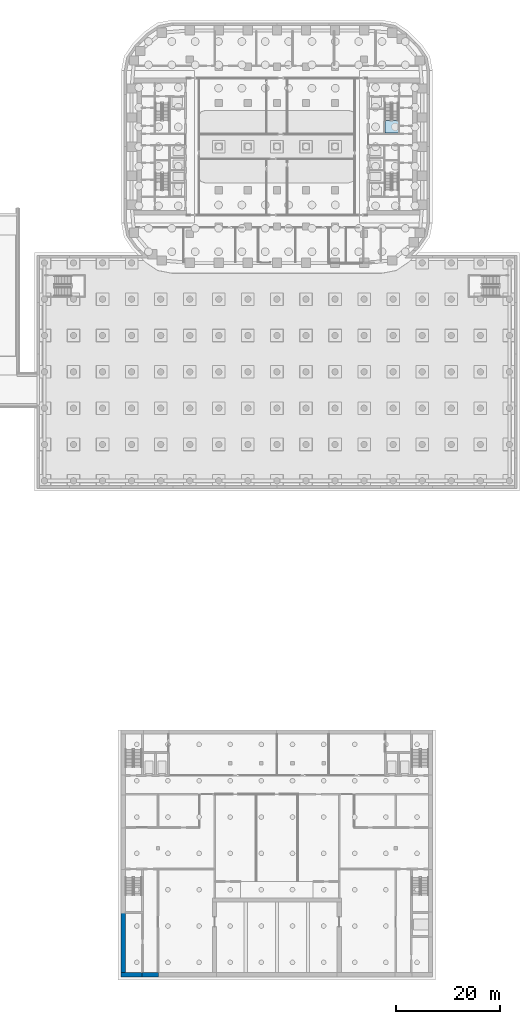
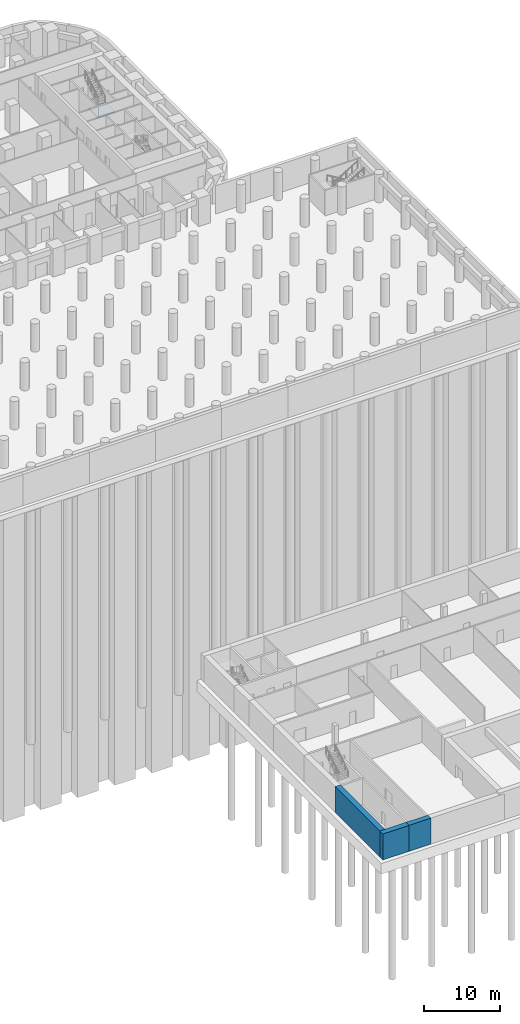
# One storey, part 5 of 23: 3 walls, 1 slab, 1 element without a shape of its own.
"""IFC4 building model written with IfcOpenShell, lengths in metres."""

import ifcopenshell
import ifcopenshell.guid

model = None  # the IFC model being written
_history = None  # IfcOwnerHistory: only IFC2X3 demands one
_inside = {}  # id of a spatial element -> (the spatial element, [elements in it])
_under = {}  # id of a project, library or spatial element -> (it, [spatial elements below it])
_declared = {}  # id of a project -> (the project, [libraries it declares])
_typed = {}  # id of a type object -> (the type object, [elements of that type])
_made_of = {}  # id of a material, layer set ... -> (it, [elements and type objects made of it])


def new_model(schema):
    """Start an empty IFC model of exactly this schema.

    Asked for "IFC4X3", IfcOpenShell would pick the latest addendum, in which some entities
    have other attributes; the version numbers below select the first issue.
    IFC2X3 requires an IfcOwnerHistory on every rooted entity: one is made here for all.
    """
    global model, _history
    if schema == "IFC4X3":
        model = ifcopenshell.file(schema_version=(4, 3, 0, 0))
    else:
        model = ifcopenshell.file(schema=schema)
    _inside.clear()
    _under.clear()
    _declared.clear()
    _typed.clear()
    _made_of.clear()
    _history = None
    if model.schema == "IFC2X3":
        org = make("IfcOrganization", Name="unknown")
        user = make(
            "IfcPersonAndOrganization",
            ThePerson=make("IfcPerson", FamilyName="unknown"),
            TheOrganization=org,
        )
        app = make(
            "IfcApplication",
            ApplicationDeveloper=org,
            Version="unknown",
            ApplicationFullName="unknown",
            ApplicationIdentifier="unknown",
        )
        _history = make(
            "IfcOwnerHistory",
            OwningUser=user,
            OwningApplication=app,
            ChangeAction="ADDED",
            CreationDate=0,
        )
    return model


def make(cls, **values):
    """One entity of the class cls with the attributes given. An attribute that is None is left unset."""
    return model.create_entity(
        cls, **{name: value for name, value in values.items() if value is not None}
    )


def rooted(cls, **values):
    """An entity with a GlobalId (a new one), such as an element, a storey or a relation."""
    return make(cls, GlobalId=ifcopenshell.guid.new(), OwnerHistory=_history, **values)


def si_unit(unit_type, name, prefix=None):
    """IfcSIUnit, for example si_unit("LENGTHUNIT", "METRE", prefix="MILLI")."""
    return make("IfcSIUnit", UnitType=unit_type, Prefix=prefix, Name=name)


def assignment(units):
    """IfcUnitAssignment: the units of a project."""
    return None if units is None else make("IfcUnitAssignment", Units=units)


def point(xyz):
    """IfcCartesianPoint."""
    return None if xyz is None else make("IfcCartesianPoint", Coordinates=xyz)


def direction(xyz):
    """IfcDirection."""
    return None if xyz is None else make("IfcDirection", DirectionRatios=xyz)


def frame(location, z_axis=None, x_axis=None):
    """IfcAxis2Placement3D, a coordinate frame: its origin and axes. An axis left out is left unset."""
    return make(
        "IfcAxis2Placement3D",
        Location=point(location),
        Axis=direction(z_axis),
        RefDirection=direction(x_axis),
    )


def frame_2d(location, x_axis=None):
    """IfcAxis2Placement2D, a coordinate frame in the plane: its origin and x axis."""
    return make(
        "IfcAxis2Placement2D", Location=point(location), RefDirection=direction(x_axis)
    )


def origin():
    """The frame at (0, 0, 0) with its axes left unset."""
    return frame((0.0, 0.0, 0.0))


def place(relative_to, where):
    """IfcLocalPlacement: puts the frame where relative to a parent placement (None: the world)."""
    return make(
        "IfcLocalPlacement", PlacementRelTo=relative_to, RelativePlacement=where
    )


def context(
    kind, dimensions, precision=None, world=None, true_north=None, identifier=None
):
    """IfcGeometricRepresentationContext, for example the 3D "Model" context."""
    return make(
        "IfcGeometricRepresentationContext",
        ContextIdentifier=identifier,
        ContextType=kind,
        CoordinateSpaceDimension=dimensions,
        Precision=precision,
        WorldCoordinateSystem=world,
        TrueNorth=true_north,
    )


def subcontext(parent, identifier, kind, view, scale=None):
    """IfcGeometricRepresentationSubContext, for example "Body" below "Model"."""
    return make(
        "IfcGeometricRepresentationSubContext",
        ContextIdentifier=identifier,
        ContextType=kind,
        ParentContext=parent,
        TargetScale=scale,
        TargetView=view,
    )


def project(units=None, contexts=None):
    """IfcProject with its units and contexts."""
    return rooted(
        "IfcProject",
        Name="project",
        RepresentationContexts=contexts,
        UnitsInContext=assignment(units),
    )


def spatial(cls, under=None, at=None, **own):
    """A site, building, storey or space (cls), placed at a placement, below another one or the project."""
    s = rooted(cls, ObjectPlacement=at, **own)
    if under is not None:
        _under.setdefault(under.id(), (under, []))[1].append(s)
    return s


def polyline(points):
    """IfcPolyline through the points."""
    return make("IfcPolyline", Points=[point(p) for p in points])


def profile(cls, at=None, kind="AREA", **sizes):
    """A parametric profile (cls). Its sizes go by their IFC names, for example OverallWidth=200.0."""
    return make(cls, ProfileType=kind, Position=at, **sizes)


def rectangle(**sizes):
    """IfcRectangleProfileDef."""
    return profile("IfcRectangleProfileDef", **sizes)


def outline(outer, holes=None, kind="AREA"):
    """IfcArbitraryClosedProfileDef: a profile drawn as a closed curve; with holes, ...WithVoids."""
    if holes is None:
        return make("IfcArbitraryClosedProfileDef", ProfileType=kind, OuterCurve=outer)
    return make(
        "IfcArbitraryProfileDefWithVoids",
        ProfileType=kind,
        OuterCurve=outer,
        InnerCurves=holes,
    )


def extrude(swept, where, along, depth):
    """IfcExtrudedAreaSolid: the profile swept, set in the frame where, extruded along a direction by depth."""
    return make(
        "IfcExtrudedAreaSolid",
        SweptArea=swept,
        Position=where,
        ExtrudedDirection=direction(along),
        Depth=depth,
    )


def shape(context_of_items, identifier, shape_type, items):
    """IfcShapeRepresentation: the items that make up one representation, for example the "Body"."""
    return make(
        "IfcShapeRepresentation",
        ContextOfItems=context_of_items,
        RepresentationIdentifier=identifier,
        RepresentationType=shape_type,
        Items=items,
    )


def material(Name=None, Category=None):
    """IfcMaterial."""
    return make("IfcMaterial", Name=Name, Category=Category)


def layer(
    of_material, thickness, ventilated=None, Name=None, Category=None, Priority=None
):
    """IfcMaterialLayer: one layer of a wall or slab, of a material (None: an air gap)."""
    return make(
        "IfcMaterialLayer",
        Material=of_material,
        LayerThickness=thickness,
        IsVentilated=ventilated,
        Name=Name,
        Category=Category,
        Priority=Priority,
    )


def layer_set(layers, Name=None):
    """IfcMaterialLayerSet."""
    return make("IfcMaterialLayerSet", MaterialLayers=layers, LayerSetName=Name)


def made_of(thing, what):
    """Note that an element or type object is made of a material, layer set ...; save() writes the relation."""
    if what is not None:
        _made_of.setdefault(what.id(), (what, []))[1].append(thing)
    return thing


def type_object(cls, material=None, **own):
    """A type object (cls), such as IfcWallType, which elements share."""
    return made_of(rooted(cls, **own), material)


def element(
    cls,
    number,
    at=None,
    inside=None,
    cuts=None,
    type_object=None,
    material=None,
    context=None,
    identifier="Body",
    shape_type=None,
    held_by="IfcProductDefinitionShape",
    body=None,
    shapes=None,
    **own,
):
    """One element of the class cls, such as IfcWall. Its Tag is "e" and its number.

    at: its placement. inside: the storey or other place that contains it. cuts: it is an
    opening in that element (IfcRelVoidsElement). A single representation is given by context,
    identifier, shape_type and body (its items); several are given by shapes. held_by: the class
    of the entity that holds the representations. save() writes the other relations.
    """
    e = rooted(cls, Tag="e%d" % number, ObjectPlacement=at, **own)
    if body is not None:
        shapes = [shape(context, identifier, shape_type, body)]
    if shapes is not None:
        e.Representation = make(held_by, Representations=shapes)
    if inside is not None:
        _inside.setdefault(inside.id(), (inside, []))[1].append(e)
    if cuts is not None:
        rooted(
            "IfcRelVoidsElement", RelatingBuildingElement=cuts, RelatedOpeningElement=e
        )
    if type_object is not None:
        _typed.setdefault(type_object.id(), (type_object, []))[1].append(e)
    return made_of(e, material)


def aggregate(whole, parts):
    """IfcRelAggregates: a whole, such as a stair, and the parts it consists of."""
    return rooted("IfcRelAggregates", RelatingObject=whole, RelatedObjects=parts)


def save(model, path):
    """Write the relations noted so far, then the file.

    IfcRelAggregates (storeys below a building ...), IfcRelContainedInSpatialStructure (elements
    in a storey), IfcRelDefinesByType, IfcRelAssociatesMaterial and IfcRelDeclares: one each for
    every whole, place, type object, material and project.
    """
    for whole, parts in _under.values():
        aggregate(whole, parts)
    for where, things in _inside.values():
        rooted(
            "IfcRelContainedInSpatialStructure",
            RelatedElements=things,
            RelatingStructure=where,
        )
    for kind, things in _typed.values():
        rooted("IfcRelDefinesByType", RelatedObjects=things, RelatingType=kind)
    for what, things in _made_of.values():
        rooted("IfcRelAssociatesMaterial", RelatedObjects=things, RelatingMaterial=what)
    for by, libraries in _declared.values():
        rooted("IfcRelDeclares", RelatingContext=by, RelatedDefinitions=libraries)
    model.write(path)


model = new_model("IFC4")

# Units and contexts
model_context = context("Model", 3, precision=1e-05, world=origin(), true_north=direction((0.0, 1.0)))
body_context = subcontext(model_context, "Body", "Model", "MODEL_VIEW")
ifc_project = project(units=[si_unit("LENGTHUNIT", "METRE"), si_unit("AREAUNIT", "SQUARE_METRE"), si_unit("VOLUMEUNIT", "CUBIC_METRE"), si_unit("PLANEANGLEUNIT", "RADIAN"), si_unit("MASSUNIT", "GRAM", prefix="KILO")], contexts=[model_context])

# Site, building, storey
site_placement = place(None, origin())
site = spatial("IfcSite", under=ifc_project, at=site_placement, CompositionType="ELEMENT")
building_placement = place(site_placement, origin())
building = spatial("IfcBuilding", under=site, at=building_placement, Name="Kiln Ring Residences", CompositionType="ELEMENT")
storey_placement = place(building_placement, frame((0.0, 0.0, -4.5)))
storey = spatial("IfcBuildingStorey", under=building, at=storey_placement, Name="B1", CompositionType="ELEMENT", Elevation=-4.5)

# Stair, slab
ifc_material_1 = material(Name="Concrete C40/50", Category="concrete")
stair_type = type_object("IfcStairType", Name="CORE-STAIR", PredefinedType="HALF_TURN_STAIR", material=ifc_material_1)
stair_placement = place(storey_placement, origin())
stair = element("IfcStair", 1, at=stair_placement, inside=storey, type_object=stair_type, Name="B1 stair E-STN", PredefinedType="HALF_TURN_STAIR")
ifc_material_2 = material(Name="Concrete C40/50", Category="concrete")
ifc_layer_1 = layer(ifc_material_2, 0.199951171875)
ifc_layer_set_1 = layer_set([ifc_layer_1], Name="CORE-STAIR-LANDING")
slab_type = type_object("IfcSlabType", Name="CORE-STAIR-LANDING", PredefinedType="LANDING", material=ifc_layer_set_1)
slab_placement = place(storey_placement, frame((0.0, 0.0, 2.050048828125)))
slab = element("IfcSlab", 2, at=slab_placement, type_object=slab_type, Name="E-STN landing 1", PredefinedType="LANDING", context=body_context, shape_type="SweptSolid", body=[
    extrude(outline(polyline([(20.800048828125, 5.0400390625), (20.800048828125, 2.60009765625), (23.39990234375, 2.60009765625), (23.39990234375, 5.0400390625), (20.800048828125, 5.0400390625)])), origin(), (0.0, 0.0, 1.0), 0.199951171875),
])
aggregate(stair, [slab])

# Walls
ifc_material_3 = material(Name="Concrete C40/50", Category="concrete")
ifc_layer_2 = layer(ifc_material_3, 0.800048828125)
ifc_layer_set_2 = layer_set([ifc_layer_2], Name="Hall Exposed brick-faced reinforced concrete C40/50 wall 800")
wall_type = type_object("IfcWallType", Name="Hall Exposed brick-faced reinforced concrete C40/50 wall 800", PredefinedType="SOLIDWALL", material=ifc_layer_set_2)
wall_1_placement = place(storey_placement, frame((-30.0, -159.60009765625, 0.0), z_axis=(0.0, 0.0, 1.0), x_axis=(1.0, 0.0, 0.0)))
element("IfcWall", 3, at=wall_1_placement, inside=storey, type_object=wall_type, Name="Hall wall B1 1", PredefinedType="SOLIDWALL", context=body_context, shape_type="SweptSolid", body=[
    extrude(rectangle(XDim=4.224853515625, YDim=0.800048828125, at=frame_2d((2.1123046875, 0.0))), origin(), (0.0, 0.0, 1.0), 4.14990234375),
])
wall_2_placement = place(storey_placement, frame((-26.02490234375, -159.60009765625, 0.0), z_axis=(0.0, 0.0, 1.0), x_axis=(1.0, 0.0, 0.0)))
element("IfcWall", 4, at=wall_2_placement, inside=storey, type_object=wall_type, Name="Hall wall B1 2", PredefinedType="SOLIDWALL", context=body_context, shape_type="SweptSolid", body=[
    extrude(rectangle(XDim=3.249755859375, YDim=0.800048828125, at=frame_2d((1.625, 0.0))), origin(), (0.0, 0.0, 1.0), 4.14990234375),
])
wall_3_placement = place(storey_placement, frame((-29.60009765625, -159.199951171875, 0.0), z_axis=(0.0, 0.0, 1.0), x_axis=(0.0, 1.0, 0.0)))
element("IfcWall", 5, at=wall_3_placement, inside=storey, type_object=wall_type, Name="Hall wall B1 35", PredefinedType="SOLIDWALL", context=body_context, shape_type="SweptSolid", body=[
    extrude(rectangle(XDim=11.749755859375, YDim=0.800048828125, at=frame_2d((5.875, 0.0))), origin(), (0.0, 0.0, 1.0), 4.14990234375),
])

save(model, "model.ifc")
